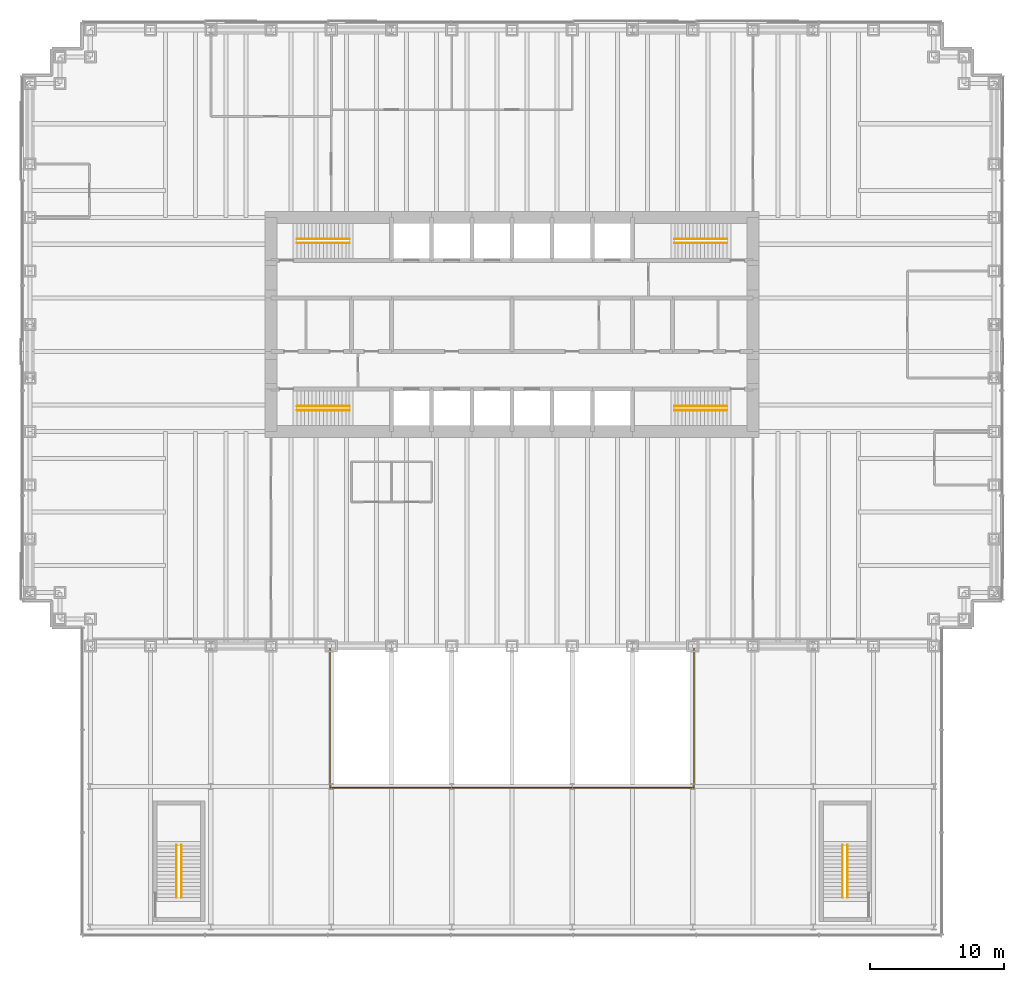
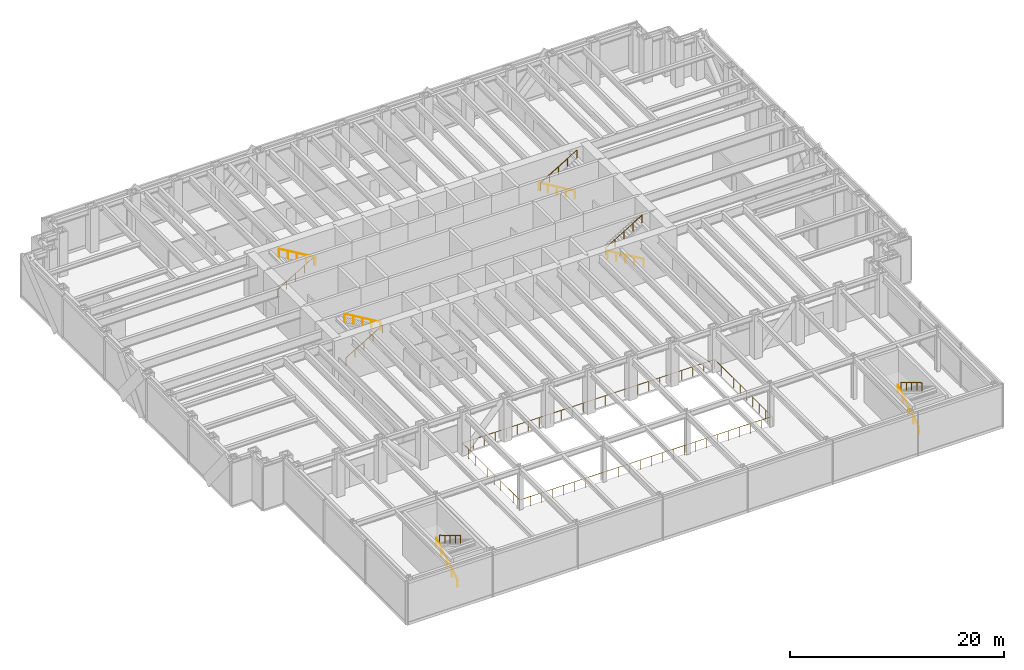
# One storey, part 17 of 17: 13 railings.
"""IFC4 building model written with IfcOpenShell, lengths in metres."""

from ifc_helpers import new_model, si_unit, direction, frame, origin, origin_2d, place, context, subcontext, project, spatial, circle, extrude, material, type_object, element, save


model = new_model("IFC4")

# Units and contexts
model_context = context("Model", 3, precision=1e-05, world=origin(), true_north=direction((0.0, 1.0)))
body_context = subcontext(model_context, "Body", "Model", "MODEL_VIEW")
ifc_project = project(units=[si_unit("LENGTHUNIT", "METRE"), si_unit("AREAUNIT", "SQUARE_METRE"), si_unit("VOLUMEUNIT", "CUBIC_METRE"), si_unit("PLANEANGLEUNIT", "RADIAN"), si_unit("MASSUNIT", "GRAM", prefix="KILO")], contexts=[model_context])

# Site, building, storey
site_placement = place(None, origin())
site = spatial("IfcSite", under=ifc_project, at=site_placement, CompositionType="ELEMENT")
building_placement = place(site_placement, origin())
building = spatial("IfcBuilding", under=site, at=building_placement, Name="Rheinbord Bourse Tower", CompositionType="ELEMENT")
storey_placement = place(building_placement, frame((0.0, 0.0, 18.0)))
storey = spatial("IfcBuildingStorey", under=building, at=storey_placement, Name="L03", CompositionType="ELEMENT", Elevation=18.0)

# Railings
ifc_material_1 = material(Name="Steel and glass guard", Category="steel")
railing_type_1 = type_object("IfcRailingType", Name="GUARD 1100", PredefinedType="GUARDRAIL", material=ifc_material_1)
railing_1_placement = place(storey_placement, frame((22.39990234375, -10.60009765625, 0.0)))
element("IfcRailing", 1, at=railing_1_placement, inside=storey, type_object=railing_type_1, Name="Atrium guard L03", PredefinedType="GUARDRAIL", context=body_context, shape_type="SweptSolid", body=[
    extrude(circle(Radius=0.02392578125, at=origin_2d()), frame((0.0, 0.0, 1.076171875), z_axis=(1.0, 0.0, 0.0), x_axis=(0.0, 1.0, 0.0)), (0.0, 0.0, 1.0), 27.2001953125),
    extrude(circle(Radius=0.02392578125, at=origin_2d()), frame((27.2001953125, 0.0, 1.076171875), z_axis=(0.0, 1.0, 0.0), x_axis=(-1.0, 0.0, 0.0)), (0.0, 0.0, 1.0), 10.7001953125),
    extrude(circle(Radius=0.02392578125, at=origin_2d()), frame((27.2001953125, 10.7001953125, 1.076171875), z_axis=(-1.0, 0.0, 0.0), x_axis=(0.0, -1.0, 0.0)), (0.0, 0.0, 1.0), 27.2001953125),
    extrude(circle(Radius=0.02392578125, at=origin_2d()), frame((0.0, 10.7001953125, 1.076171875), z_axis=(0.0, -1.0, 0.0), x_axis=(1.0, 0.0, 0.0)), (0.0, 0.0, 1.0), 10.7001953125),
    extrude(circle(Radius=0.02099609375, at=origin_2d()), origin(), (0.0, 0.0, 1.0), 1.052001953125),
    extrude(circle(Radius=0.02099609375, at=origin_2d()), frame((1.1826171875, 0.0, 0.0)), (0.0, 0.0, 1.0), 1.052001953125),
    extrude(circle(Radius=0.02099609375, at=origin_2d()), frame((2.365234375, 0.0, 0.0)), (0.0, 0.0, 1.0), 1.052001953125),
    extrude(circle(Radius=0.02099609375, at=origin_2d()), frame((3.5478515625, 0.0, 0.0)), (0.0, 0.0, 1.0), 1.052001953125),
    extrude(circle(Radius=0.02099609375, at=origin_2d()), frame((4.73046875, 0.0, 0.0)), (0.0, 0.0, 1.0), 1.052001953125),
    extrude(circle(Radius=0.02099609375, at=origin_2d()), frame((5.9130859375, 0.0, 0.0)), (0.0, 0.0, 1.0), 1.052001953125),
    extrude(circle(Radius=0.02099609375, at=origin_2d()), frame((7.095703125, 0.0, 0.0)), (0.0, 0.0, 1.0), 1.052001953125),
    extrude(circle(Radius=0.02099609375, at=origin_2d()), frame((8.2783203125, 0.0, 0.0)), (0.0, 0.0, 1.0), 1.052001953125),
    extrude(circle(Radius=0.02099609375, at=origin_2d()), frame((9.4609375, 0.0, 0.0)), (0.0, 0.0, 1.0), 1.052001953125),
    extrude(circle(Radius=0.02099609375, at=origin_2d()), frame((10.6435546875, 0.0, 0.0)), (0.0, 0.0, 1.0), 1.052001953125),
    extrude(circle(Radius=0.02099609375, at=origin_2d()), frame((11.826171875, 0.0, 0.0)), (0.0, 0.0, 1.0), 1.052001953125),
    extrude(circle(Radius=0.02099609375, at=origin_2d()), frame((13.0087890625, 0.0, 0.0)), (0.0, 0.0, 1.0), 1.052001953125),
    extrude(circle(Radius=0.02099609375, at=origin_2d()), frame((14.19140625, 0.0, 0.0)), (0.0, 0.0, 1.0), 1.052001953125),
    extrude(circle(Radius=0.02099609375, at=origin_2d()), frame((15.3740234375, 0.0, 0.0)), (0.0, 0.0, 1.0), 1.052001953125),
    extrude(circle(Radius=0.02099609375, at=origin_2d()), frame((16.556640625, 0.0, 0.0)), (0.0, 0.0, 1.0), 1.052001953125),
    extrude(circle(Radius=0.02099609375, at=origin_2d()), frame((17.7392578125, 0.0, 0.0)), (0.0, 0.0, 1.0), 1.052001953125),
    extrude(circle(Radius=0.02099609375, at=origin_2d()), frame((18.921875, 0.0, 0.0)), (0.0, 0.0, 1.0), 1.052001953125),
    extrude(circle(Radius=0.02099609375, at=origin_2d()), frame((20.1044921875, 0.0, 0.0)), (0.0, 0.0, 1.0), 1.052001953125),
    extrude(circle(Radius=0.02099609375, at=origin_2d()), frame((21.287109375, 0.0, 0.0)), (0.0, 0.0, 1.0), 1.052001953125),
    extrude(circle(Radius=0.02099609375, at=origin_2d()), frame((22.4697265625, 0.0, 0.0)), (0.0, 0.0, 1.0), 1.052001953125),
    extrude(circle(Radius=0.02099609375, at=origin_2d()), frame((23.65234375, 0.0, 0.0)), (0.0, 0.0, 1.0), 1.052001953125),
    extrude(circle(Radius=0.02099609375, at=origin_2d()), frame((24.8349609375, 0.0, 0.0)), (0.0, 0.0, 1.0), 1.052001953125),
    extrude(circle(Radius=0.02099609375, at=origin_2d()), frame((26.017578125, 0.0, 0.0)), (0.0, 0.0, 1.0), 1.052001953125),
    extrude(circle(Radius=0.02099609375, at=origin_2d()), frame((27.2001953125, 0.0, 0.0)), (0.0, 0.0, 1.0), 1.052001953125),
    extrude(circle(Radius=0.02099609375, at=origin_2d()), frame((27.2001953125, 1.18896484375, 0.0)), (0.0, 0.0, 1.0), 1.052001953125),
    extrude(circle(Radius=0.02099609375, at=origin_2d()), frame((27.2001953125, 2.3779296875, 0.0)), (0.0, 0.0, 1.0), 1.052001953125),
    extrude(circle(Radius=0.02099609375, at=origin_2d()), frame((27.2001953125, 3.566650390625, 0.0)), (0.0, 0.0, 1.0), 1.052001953125),
    extrude(circle(Radius=0.02099609375, at=origin_2d()), frame((27.2001953125, 4.755615234375, 0.0)), (0.0, 0.0, 1.0), 1.052001953125),
    extrude(circle(Radius=0.02099609375, at=origin_2d()), frame((27.2001953125, 5.944580078125, 0.0)), (0.0, 0.0, 1.0), 1.052001953125),
    extrude(circle(Radius=0.02099609375, at=origin_2d()), frame((27.2001953125, 7.133544921875, 0.0)), (0.0, 0.0, 1.0), 1.052001953125),
    extrude(circle(Radius=0.02099609375, at=origin_2d()), frame((27.2001953125, 8.322265625, 0.0)), (0.0, 0.0, 1.0), 1.052001953125),
    extrude(circle(Radius=0.02099609375, at=origin_2d()), frame((27.2001953125, 9.51123046875, 0.0)), (0.0, 0.0, 1.0), 1.052001953125),
    extrude(circle(Radius=0.02099609375, at=origin_2d()), frame((27.2001953125, 10.7001953125, 0.0)), (0.0, 0.0, 1.0), 1.052001953125),
    extrude(circle(Radius=0.02099609375, at=origin_2d()), frame((26.017578125, 10.7001953125, 0.0)), (0.0, 0.0, 1.0), 1.052001953125),
    extrude(circle(Radius=0.02099609375, at=origin_2d()), frame((24.8349609375, 10.7001953125, 0.0)), (0.0, 0.0, 1.0), 1.052001953125),
    extrude(circle(Radius=0.02099609375, at=origin_2d()), frame((23.65234375, 10.7001953125, 0.0)), (0.0, 0.0, 1.0), 1.052001953125),
    extrude(circle(Radius=0.02099609375, at=origin_2d()), frame((22.4697265625, 10.7001953125, 0.0)), (0.0, 0.0, 1.0), 1.052001953125),
    extrude(circle(Radius=0.02099609375, at=origin_2d()), frame((21.287109375, 10.7001953125, 0.0)), (0.0, 0.0, 1.0), 1.052001953125),
    extrude(circle(Radius=0.02099609375, at=origin_2d()), frame((20.1044921875, 10.7001953125, 0.0)), (0.0, 0.0, 1.0), 1.052001953125),
    extrude(circle(Radius=0.02099609375, at=origin_2d()), frame((18.921875, 10.7001953125, 0.0)), (0.0, 0.0, 1.0), 1.052001953125),
    extrude(circle(Radius=0.02099609375, at=origin_2d()), frame((17.7392578125, 10.7001953125, 0.0)), (0.0, 0.0, 1.0), 1.052001953125),
    extrude(circle(Radius=0.02099609375, at=origin_2d()), frame((16.556640625, 10.7001953125, 0.0)), (0.0, 0.0, 1.0), 1.052001953125),
    extrude(circle(Radius=0.02099609375, at=origin_2d()), frame((15.3740234375, 10.7001953125, 0.0)), (0.0, 0.0, 1.0), 1.052001953125),
    extrude(circle(Radius=0.02099609375, at=origin_2d()), frame((14.19140625, 10.7001953125, 0.0)), (0.0, 0.0, 1.0), 1.052001953125),
    extrude(circle(Radius=0.02099609375, at=origin_2d()), frame((13.0087890625, 10.7001953125, 0.0)), (0.0, 0.0, 1.0), 1.052001953125),
    extrude(circle(Radius=0.02099609375, at=origin_2d()), frame((11.826171875, 10.7001953125, 0.0)), (0.0, 0.0, 1.0), 1.052001953125),
    extrude(circle(Radius=0.02099609375, at=origin_2d()), frame((10.6435546875, 10.7001953125, 0.0)), (0.0, 0.0, 1.0), 1.052001953125),
    extrude(circle(Radius=0.02099609375, at=origin_2d()), frame((9.4609375, 10.7001953125, 0.0)), (0.0, 0.0, 1.0), 1.052001953125),
    extrude(circle(Radius=0.02099609375, at=origin_2d()), frame((8.2783203125, 10.7001953125, 0.0)), (0.0, 0.0, 1.0), 1.052001953125),
    extrude(circle(Radius=0.02099609375, at=origin_2d()), frame((7.095703125, 10.7001953125, 0.0)), (0.0, 0.0, 1.0), 1.052001953125),
    extrude(circle(Radius=0.02099609375, at=origin_2d()), frame((5.9130859375, 10.7001953125, 0.0)), (0.0, 0.0, 1.0), 1.052001953125),
    extrude(circle(Radius=0.02099609375, at=origin_2d()), frame((4.73046875, 10.7001953125, 0.0)), (0.0, 0.0, 1.0), 1.052001953125),
    extrude(circle(Radius=0.02099609375, at=origin_2d()), frame((3.5478515625, 10.7001953125, 0.0)), (0.0, 0.0, 1.0), 1.052001953125),
    extrude(circle(Radius=0.02099609375, at=origin_2d()), frame((2.365234375, 10.7001953125, 0.0)), (0.0, 0.0, 1.0), 1.052001953125),
    extrude(circle(Radius=0.02099609375, at=origin_2d()), frame((1.1826171875, 10.7001953125, 0.0)), (0.0, 0.0, 1.0), 1.052001953125),
    extrude(circle(Radius=0.02099609375, at=origin_2d()), frame((0.0, 10.7001953125, 0.0)), (0.0, 0.0, 1.0), 1.052001953125),
    extrude(circle(Radius=0.02099609375, at=origin_2d()), frame((0.0, 9.51123046875, 0.0)), (0.0, 0.0, 1.0), 1.052001953125),
    extrude(circle(Radius=0.02099609375, at=origin_2d()), frame((0.0, 8.322265625, 0.0)), (0.0, 0.0, 1.0), 1.052001953125),
    extrude(circle(Radius=0.02099609375, at=origin_2d()), frame((0.0, 7.133544921875, 0.0)), (0.0, 0.0, 1.0), 1.052001953125),
    extrude(circle(Radius=0.02099609375, at=origin_2d()), frame((0.0, 5.944580078125, 0.0)), (0.0, 0.0, 1.0), 1.052001953125),
    extrude(circle(Radius=0.02099609375, at=origin_2d()), frame((0.0, 4.755615234375, 0.0)), (0.0, 0.0, 1.0), 1.052001953125),
    extrude(circle(Radius=0.02099609375, at=origin_2d()), frame((0.0, 3.566650390625, 0.0)), (0.0, 0.0, 1.0), 1.052001953125),
    extrude(circle(Radius=0.02099609375, at=origin_2d()), frame((0.0, 2.3779296875, 0.0)), (0.0, 0.0, 1.0), 1.052001953125),
    extrude(circle(Radius=0.02099609375, at=origin_2d()), frame((0.0, 1.18896484375, 0.0)), (0.0, 0.0, 1.0), 1.052001953125),
])
ifc_material_2 = material(Name="Steel handrail", Category="steel")
railing_type_2 = type_object("IfcRailingType", Name="HANDRAIL 900", PredefinedType="HANDRAIL", material=ifc_material_2)
railing_2_placement = place(storey_placement, frame((19.949951171875, 17.60009765625, 0.1669921875)))
element("IfcRailing", 2, at=railing_2_placement, inside=storey, type_object=railing_type_2, Name="Handrail", PredefinedType="HANDRAIL", context=body_context, shape_type="SweptSolid", body=[
    extrude(circle(Radius=0.02392578125, at=origin_2d()), frame((0.0, 0.0, 0.8759765625), z_axis=(0.859333764799, 0.0, 0.511415174467), x_axis=(0.0, 1.0, 0.0)), (0.0, 0.0, 1.0), 4.561767578125),
    extrude(circle(Radius=0.02099609375, at=origin_2d()), origin(), (0.0, 0.0, 1.0), 0.851806640625),
    extrude(circle(Radius=0.02099609375, at=origin_2d()), frame((0.97998046875, 0.0, 0.583251953125)), (0.0, 0.0, 1.0), 0.851806640625),
    extrude(circle(Radius=0.02099609375, at=origin_2d()), frame((1.9599609375, 0.0, 1.16650390625)), (0.0, 0.0, 1.0), 0.851806640625),
    extrude(circle(Radius=0.02099609375, at=origin_2d()), frame((2.940185546875, 0.0, 1.749755859375)), (0.0, 0.0, 1.0), 0.851806640625),
    extrude(circle(Radius=0.02099609375, at=origin_2d()), frame((3.920166015625, 0.0, 2.3330078125)), (0.0, 0.0, 1.0), 0.851806640625),
])
railing_3_placement = place(storey_placement, frame((23.8701171875, 17.89990234375, 2.6669921875)))
element("IfcRailing", 3, at=railing_3_placement, inside=storey, type_object=railing_type_2, Name="Handrail", PredefinedType="HANDRAIL", context=body_context, shape_type="SweptSolid", body=[
    extrude(circle(Radius=0.02392578125, at=origin_2d()), frame((0.0, 0.0, 0.8759765625), z_axis=(-0.859333764799, 0.0, 0.511415174467), x_axis=(0.0, -1.0, 0.0)), (0.0, 0.0, 1.0), 4.561767578125),
    extrude(circle(Radius=0.02099609375, at=origin_2d()), origin(), (0.0, 0.0, 1.0), 0.851806640625),
    extrude(circle(Radius=0.02099609375, at=origin_2d()), frame((-0.97998046875, 0.0, 0.583251953125)), (0.0, 0.0, 1.0), 0.851806640625),
    extrude(circle(Radius=0.02099609375, at=origin_2d()), frame((-1.9599609375, 0.0, 1.16650390625)), (0.0, 0.0, 1.0), 0.851806640625),
    extrude(circle(Radius=0.02099609375, at=origin_2d()), frame((-2.940185546875, 0.0, 1.749755859375)), (0.0, 0.0, 1.0), 0.851806640625),
    extrude(circle(Radius=0.02099609375, at=origin_2d()), frame((-3.920166015625, 0.0, 2.3330078125)), (0.0, 0.0, 1.0), 0.851806640625),
])
railing_4_placement = place(storey_placement, frame((19.949951171875, 30.39990234375, 0.1669921875)))
element("IfcRailing", 4, at=railing_4_placement, inside=storey, type_object=railing_type_2, Name="Handrail", PredefinedType="HANDRAIL", context=body_context, shape_type="SweptSolid", body=[
    extrude(circle(Radius=0.02392578125, at=origin_2d()), frame((0.0, 0.0, 0.8759765625), z_axis=(0.859333764799, 0.0, 0.511415174467), x_axis=(0.0, 1.0, 0.0)), (0.0, 0.0, 1.0), 4.561767578125),
    extrude(circle(Radius=0.02099609375, at=origin_2d()), origin(), (0.0, 0.0, 1.0), 0.851806640625),
    extrude(circle(Radius=0.02099609375, at=origin_2d()), frame((0.97998046875, 0.0, 0.583251953125)), (0.0, 0.0, 1.0), 0.851806640625),
    extrude(circle(Radius=0.02099609375, at=origin_2d()), frame((1.9599609375, 0.0, 1.16650390625)), (0.0, 0.0, 1.0), 0.851806640625),
    extrude(circle(Radius=0.02099609375, at=origin_2d()), frame((2.940185546875, 0.0, 1.749755859375)), (0.0, 0.0, 1.0), 0.851806640625),
    extrude(circle(Radius=0.02099609375, at=origin_2d()), frame((3.920166015625, 0.0, 2.3330078125)), (0.0, 0.0, 1.0), 0.851806640625),
])
for number, where, name in (
    (5, (23.8701171875, 30.10009765625, 2.6669921875), "Handrail"),
    (6, (52.050048828125, 17.60009765625, 0.1669921875), "Handrail"),
):
    element("IfcRailing", number, at=place(storey_placement, frame(where)), inside=storey, type_object=railing_type_2, Name=name, PredefinedType="HANDRAIL", context=body_context, shape_type="SweptSolid", body=[
        extrude(circle(Radius=0.02392578125, at=origin_2d()), frame((0.0, 0.0, 0.8759765625), z_axis=(-0.859333764799, 0.0, 0.511415174467), x_axis=(0.0, -1.0, 0.0)), (0.0, 0.0, 1.0), 4.561767578125),
        extrude(circle(Radius=0.02099609375, at=origin_2d()), origin(), (0.0, 0.0, 1.0), 0.851806640625),
        extrude(circle(Radius=0.02099609375, at=origin_2d()), frame((-0.97998046875, 0.0, 0.583251953125)), (0.0, 0.0, 1.0), 0.851806640625),
        extrude(circle(Radius=0.02099609375, at=origin_2d()), frame((-1.9599609375, 0.0, 1.16650390625)), (0.0, 0.0, 1.0), 0.851806640625),
        extrude(circle(Radius=0.02099609375, at=origin_2d()), frame((-2.940185546875, 0.0, 1.749755859375)), (0.0, 0.0, 1.0), 0.851806640625),
        extrude(circle(Radius=0.02099609375, at=origin_2d()), frame((-3.920166015625, 0.0, 2.3330078125)), (0.0, 0.0, 1.0), 0.851806640625),
    ])
railing_5_placement = place(storey_placement, frame((48.1298828125, 17.89990234375, 2.6669921875)))
element("IfcRailing", 7, at=railing_5_placement, inside=storey, type_object=railing_type_2, Name="Handrail", PredefinedType="HANDRAIL", context=body_context, shape_type="SweptSolid", body=[
    extrude(circle(Radius=0.02392578125, at=origin_2d()), frame((0.0, 0.0, 0.8759765625), z_axis=(0.859333764799, 0.0, 0.511415174467), x_axis=(0.0, 1.0, 0.0)), (0.0, 0.0, 1.0), 4.561767578125),
    extrude(circle(Radius=0.02099609375, at=origin_2d()), origin(), (0.0, 0.0, 1.0), 0.851806640625),
    extrude(circle(Radius=0.02099609375, at=origin_2d()), frame((0.97998046875, 0.0, 0.583251953125)), (0.0, 0.0, 1.0), 0.851806640625),
    extrude(circle(Radius=0.02099609375, at=origin_2d()), frame((1.9599609375, 0.0, 1.16650390625)), (0.0, 0.0, 1.0), 0.851806640625),
    extrude(circle(Radius=0.02099609375, at=origin_2d()), frame((2.940185546875, 0.0, 1.749755859375)), (0.0, 0.0, 1.0), 0.851806640625),
    extrude(circle(Radius=0.02099609375, at=origin_2d()), frame((3.920166015625, 0.0, 2.3330078125)), (0.0, 0.0, 1.0), 0.851806640625),
])
railing_6_placement = place(storey_placement, frame((52.050048828125, 30.39990234375, 0.1669921875)))
element("IfcRailing", 8, at=railing_6_placement, inside=storey, type_object=railing_type_2, Name="Handrail", PredefinedType="HANDRAIL", context=body_context, shape_type="SweptSolid", body=[
    extrude(circle(Radius=0.02392578125, at=origin_2d()), frame((0.0, 0.0, 0.8759765625), z_axis=(-0.859333764799, 0.0, 0.511415174467), x_axis=(0.0, -1.0, 0.0)), (0.0, 0.0, 1.0), 4.561767578125),
    extrude(circle(Radius=0.02099609375, at=origin_2d()), origin(), (0.0, 0.0, 1.0), 0.851806640625),
    extrude(circle(Radius=0.02099609375, at=origin_2d()), frame((-0.97998046875, 0.0, 0.583251953125)), (0.0, 0.0, 1.0), 0.851806640625),
    extrude(circle(Radius=0.02099609375, at=origin_2d()), frame((-1.9599609375, 0.0, 1.16650390625)), (0.0, 0.0, 1.0), 0.851806640625),
    extrude(circle(Radius=0.02099609375, at=origin_2d()), frame((-2.940185546875, 0.0, 1.749755859375)), (0.0, 0.0, 1.0), 0.851806640625),
    extrude(circle(Radius=0.02099609375, at=origin_2d()), frame((-3.920166015625, 0.0, 2.3330078125)), (0.0, 0.0, 1.0), 0.851806640625),
])
railing_7_placement = place(storey_placement, frame((48.1298828125, 30.10009765625, 2.6669921875)))
element("IfcRailing", 9, at=railing_7_placement, inside=storey, type_object=railing_type_2, Name="Handrail", PredefinedType="HANDRAIL", context=body_context, shape_type="SweptSolid", body=[
    extrude(circle(Radius=0.02392578125, at=origin_2d()), frame((0.0, 0.0, 0.8759765625), z_axis=(0.859333764799, 0.0, 0.511415174467), x_axis=(0.0, 1.0, 0.0)), (0.0, 0.0, 1.0), 4.561767578125),
    extrude(circle(Radius=0.02099609375, at=origin_2d()), origin(), (0.0, 0.0, 1.0), 0.851806640625),
    extrude(circle(Radius=0.02099609375, at=origin_2d()), frame((0.97998046875, 0.0, 0.583251953125)), (0.0, 0.0, 1.0), 0.851806640625),
    extrude(circle(Radius=0.02099609375, at=origin_2d()), frame((1.9599609375, 0.0, 1.16650390625)), (0.0, 0.0, 1.0), 0.851806640625),
    extrude(circle(Radius=0.02099609375, at=origin_2d()), frame((2.940185546875, 0.0, 1.749755859375)), (0.0, 0.0, 1.0), 0.851806640625),
    extrude(circle(Radius=0.02099609375, at=origin_2d()), frame((3.920166015625, 0.0, 2.3330078125)), (0.0, 0.0, 1.0), 0.851806640625),
])
railing_8_placement = place(storey_placement, frame((10.949951171875, -18.800048828125, 0.1669921875)))
element("IfcRailing", 10, at=railing_8_placement, inside=storey, type_object=railing_type_2, Name="Handrail", PredefinedType="HANDRAIL", context=body_context, shape_type="SweptSolid", body=[
    extrude(circle(Radius=0.02392578125, at=origin_2d()), frame((0.0, 0.0, 0.8759765625), z_axis=(0.0, 0.859333764799, 0.511415174467), x_axis=(-1.0, 0.0, 0.0)), (0.0, 0.0, 1.0), 4.561767578125),
    extrude(circle(Radius=0.02099609375, at=origin_2d()), origin(), (0.0, 0.0, 1.0), 0.851806640625),
    extrude(circle(Radius=0.02099609375, at=origin_2d()), frame((0.0, 0.97998046875, 0.583251953125)), (0.0, 0.0, 1.0), 0.851806640625),
    extrude(circle(Radius=0.02099609375, at=origin_2d()), frame((0.0, 1.9599609375, 1.16650390625)), (0.0, 0.0, 1.0), 0.851806640625),
    extrude(circle(Radius=0.02099609375, at=origin_2d()), frame((0.0, 2.940185546875, 1.749755859375)), (0.0, 0.0, 1.0), 0.851806640625),
    extrude(circle(Radius=0.02099609375, at=origin_2d()), frame((0.0, 3.920166015625, 2.3330078125)), (0.0, 0.0, 1.0), 0.851806640625),
])
railing_9_placement = place(storey_placement, frame((11.300048828125, -14.8798828125, 2.6669921875)))
element("IfcRailing", 11, at=railing_9_placement, inside=storey, type_object=railing_type_2, Name="Handrail", PredefinedType="HANDRAIL", context=body_context, shape_type="SweptSolid", body=[
    extrude(circle(Radius=0.02392578125, at=origin_2d()), frame((0.0, 0.0, 0.8759765625), z_axis=(0.0, -0.859333764799, 0.511415174467), x_axis=(1.0, 0.0, 0.0)), (0.0, 0.0, 1.0), 4.561767578125),
    extrude(circle(Radius=0.02099609375, at=origin_2d()), origin(), (0.0, 0.0, 1.0), 0.851806640625),
    extrude(circle(Radius=0.02099609375, at=origin_2d()), frame((0.0, -0.97998046875, 0.583251953125)), (0.0, 0.0, 1.0), 0.851806640625),
    extrude(circle(Radius=0.02099609375, at=origin_2d()), frame((0.0, -1.9599609375, 1.16650390625)), (0.0, 0.0, 1.0), 0.851806640625),
    extrude(circle(Radius=0.02099609375, at=origin_2d()), frame((0.0, -2.940185546875, 1.749755859375)), (0.0, 0.0, 1.0), 0.851806640625),
    extrude(circle(Radius=0.02099609375, at=origin_2d()), frame((0.0, -3.920166015625, 2.3330078125)), (0.0, 0.0, 1.0), 0.851806640625),
])
railing_10_placement = place(storey_placement, frame((60.699951171875, -18.800048828125, 0.1669921875)))
element("IfcRailing", 12, at=railing_10_placement, inside=storey, type_object=railing_type_2, Name="Handrail", PredefinedType="HANDRAIL", context=body_context, shape_type="SweptSolid", body=[
    extrude(circle(Radius=0.02392578125, at=origin_2d()), frame((0.0, 0.0, 0.8759765625), z_axis=(0.0, 0.859333764799, 0.511415174467), x_axis=(-1.0, 0.0, 0.0)), (0.0, 0.0, 1.0), 4.561767578125),
    extrude(circle(Radius=0.02099609375, at=origin_2d()), origin(), (0.0, 0.0, 1.0), 0.851806640625),
    extrude(circle(Radius=0.02099609375, at=origin_2d()), frame((0.0, 0.97998046875, 0.583251953125)), (0.0, 0.0, 1.0), 0.851806640625),
    extrude(circle(Radius=0.02099609375, at=origin_2d()), frame((0.0, 1.9599609375, 1.16650390625)), (0.0, 0.0, 1.0), 0.851806640625),
    extrude(circle(Radius=0.02099609375, at=origin_2d()), frame((0.0, 2.940185546875, 1.749755859375)), (0.0, 0.0, 1.0), 0.851806640625),
    extrude(circle(Radius=0.02099609375, at=origin_2d()), frame((0.0, 3.920166015625, 2.3330078125)), (0.0, 0.0, 1.0), 0.851806640625),
])
railing_11_placement = place(storey_placement, frame((61.050048828125, -14.8798828125, 2.6669921875)))
element("IfcRailing", 13, at=railing_11_placement, inside=storey, type_object=railing_type_2, Name="Handrail", PredefinedType="HANDRAIL", context=body_context, shape_type="SweptSolid", body=[
    extrude(circle(Radius=0.02392578125, at=origin_2d()), frame((0.0, 0.0, 0.8759765625), z_axis=(0.0, -0.859333764799, 0.511415174467), x_axis=(1.0, 0.0, 0.0)), (0.0, 0.0, 1.0), 4.561767578125),
    extrude(circle(Radius=0.02099609375, at=origin_2d()), origin(), (0.0, 0.0, 1.0), 0.851806640625),
    extrude(circle(Radius=0.02099609375, at=origin_2d()), frame((0.0, -0.97998046875, 0.583251953125)), (0.0, 0.0, 1.0), 0.851806640625),
    extrude(circle(Radius=0.02099609375, at=origin_2d()), frame((0.0, -1.9599609375, 1.16650390625)), (0.0, 0.0, 1.0), 0.851806640625),
    extrude(circle(Radius=0.02099609375, at=origin_2d()), frame((0.0, -2.940185546875, 1.749755859375)), (0.0, 0.0, 1.0), 0.851806640625),
    extrude(circle(Radius=0.02099609375, at=origin_2d()), frame((0.0, -3.920166015625, 2.3330078125)), (0.0, 0.0, 1.0), 0.851806640625),
])

save(model, "model.ifc")
